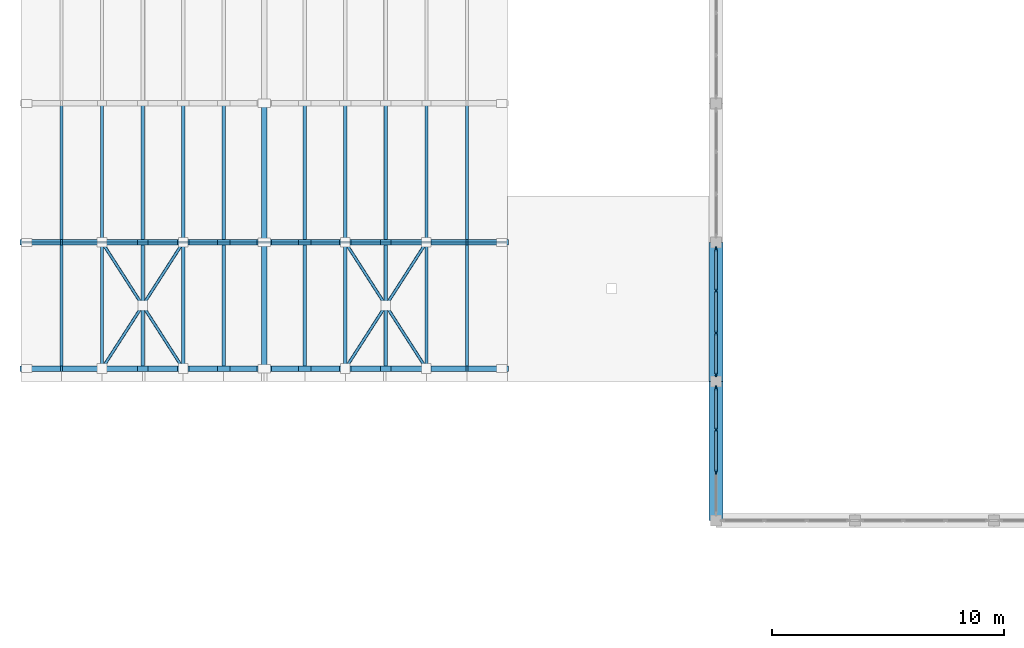
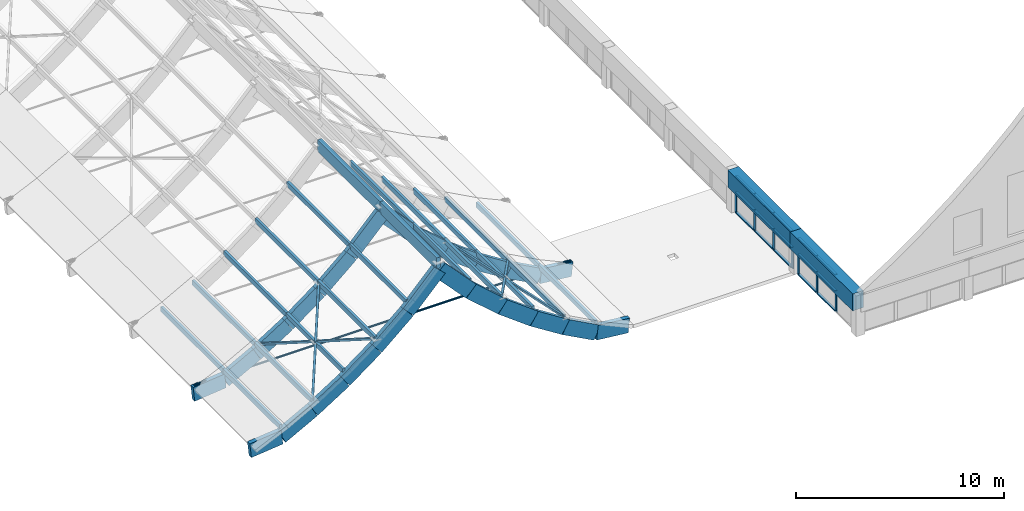
# One storey, part 6 of 45: 73 members, 4 beams, 2 elements without a shape of their own.
"""IFC4 building model written with IfcOpenShell, lengths in metres."""

import ifcopenshell
import ifcopenshell.guid

model = None  # the IFC model being written
_history = None  # IfcOwnerHistory: only IFC2X3 demands one
_inside = {}  # id of a spatial element -> (the spatial element, [elements in it])
_under = {}  # id of a project, library or spatial element -> (it, [spatial elements below it])
_declared = {}  # id of a project -> (the project, [libraries it declares])
_typed = {}  # id of a type object -> (the type object, [elements of that type])
_made_of = {}  # id of a material, layer set ... -> (it, [elements and type objects made of it])


def new_model(schema):
    """Start an empty IFC model of exactly this schema.

    Asked for "IFC4X3", IfcOpenShell would pick the latest addendum, in which some entities
    have other attributes; the version numbers below select the first issue.
    IFC2X3 requires an IfcOwnerHistory on every rooted entity: one is made here for all.
    """
    global model, _history
    if schema == "IFC4X3":
        model = ifcopenshell.file(schema_version=(4, 3, 0, 0))
    else:
        model = ifcopenshell.file(schema=schema)
    _inside.clear()
    _under.clear()
    _declared.clear()
    _typed.clear()
    _made_of.clear()
    _history = None
    if model.schema == "IFC2X3":
        org = make("IfcOrganization", Name="unknown")
        user = make(
            "IfcPersonAndOrganization",
            ThePerson=make("IfcPerson", FamilyName="unknown"),
            TheOrganization=org,
        )
        app = make(
            "IfcApplication",
            ApplicationDeveloper=org,
            Version="unknown",
            ApplicationFullName="unknown",
            ApplicationIdentifier="unknown",
        )
        _history = make(
            "IfcOwnerHistory",
            OwningUser=user,
            OwningApplication=app,
            ChangeAction="ADDED",
            CreationDate=0,
        )
    return model


def make(cls, **values):
    """One entity of the class cls with the attributes given. An attribute that is None is left unset."""
    return model.create_entity(
        cls, **{name: value for name, value in values.items() if value is not None}
    )


def rooted(cls, **values):
    """An entity with a GlobalId (a new one), such as an element, a storey or a relation."""
    return make(cls, GlobalId=ifcopenshell.guid.new(), OwnerHistory=_history, **values)


def si_unit(unit_type, name, prefix=None):
    """IfcSIUnit, for example si_unit("LENGTHUNIT", "METRE", prefix="MILLI")."""
    return make("IfcSIUnit", UnitType=unit_type, Prefix=prefix, Name=name)


def assignment(units):
    """IfcUnitAssignment: the units of a project."""
    return None if units is None else make("IfcUnitAssignment", Units=units)


def point(xyz):
    """IfcCartesianPoint."""
    return None if xyz is None else make("IfcCartesianPoint", Coordinates=xyz)


def direction(xyz):
    """IfcDirection."""
    return None if xyz is None else make("IfcDirection", DirectionRatios=xyz)


def frame(location, z_axis=None, x_axis=None):
    """IfcAxis2Placement3D, a coordinate frame: its origin and axes. An axis left out is left unset."""
    return make(
        "IfcAxis2Placement3D",
        Location=point(location),
        Axis=direction(z_axis),
        RefDirection=direction(x_axis),
    )


def frame_2d(location, x_axis=None):
    """IfcAxis2Placement2D, a coordinate frame in the plane: its origin and x axis."""
    return make(
        "IfcAxis2Placement2D", Location=point(location), RefDirection=direction(x_axis)
    )


def origin():
    """The frame at (0, 0, 0) with its axes left unset."""
    return frame((0.0, 0.0, 0.0))


def origin_2d():
    """The frame at (0, 0) in the plane with its x axis left unset."""
    return frame_2d((0.0, 0.0))


def place(relative_to, where):
    """IfcLocalPlacement: puts the frame where relative to a parent placement (None: the world)."""
    return make(
        "IfcLocalPlacement", PlacementRelTo=relative_to, RelativePlacement=where
    )


def context(
    kind, dimensions, precision=None, world=None, true_north=None, identifier=None
):
    """IfcGeometricRepresentationContext, for example the 3D "Model" context."""
    return make(
        "IfcGeometricRepresentationContext",
        ContextIdentifier=identifier,
        ContextType=kind,
        CoordinateSpaceDimension=dimensions,
        Precision=precision,
        WorldCoordinateSystem=world,
        TrueNorth=true_north,
    )


def subcontext(parent, identifier, kind, view, scale=None):
    """IfcGeometricRepresentationSubContext, for example "Body" below "Model"."""
    return make(
        "IfcGeometricRepresentationSubContext",
        ContextIdentifier=identifier,
        ContextType=kind,
        ParentContext=parent,
        TargetScale=scale,
        TargetView=view,
    )


def project(units=None, contexts=None):
    """IfcProject with its units and contexts."""
    return rooted(
        "IfcProject",
        Name="project",
        RepresentationContexts=contexts,
        UnitsInContext=assignment(units),
    )


def spatial(cls, under=None, at=None, **own):
    """A site, building, storey or space (cls), placed at a placement, below another one or the project."""
    s = rooted(cls, ObjectPlacement=at, **own)
    if under is not None:
        _under.setdefault(under.id(), (under, []))[1].append(s)
    return s


def profile(cls, at=None, kind="AREA", **sizes):
    """A parametric profile (cls). Its sizes go by their IFC names, for example OverallWidth=200.0."""
    return make(cls, ProfileType=kind, Position=at, **sizes)


def rectangle(**sizes):
    """IfcRectangleProfileDef."""
    return profile("IfcRectangleProfileDef", **sizes)


def hollow_rectangle(**sizes):
    """IfcRectangleHollowProfileDef."""
    return profile("IfcRectangleHollowProfileDef", **sizes)


def hollow_circle(**sizes):
    """IfcCircleHollowProfileDef."""
    return profile("IfcCircleHollowProfileDef", **sizes)


def extrude(swept, where, along, depth):
    """IfcExtrudedAreaSolid: the profile swept, set in the frame where, extruded along a direction by depth."""
    return make(
        "IfcExtrudedAreaSolid",
        SweptArea=swept,
        Position=where,
        ExtrudedDirection=direction(along),
        Depth=depth,
    )


def shape(context_of_items, identifier, shape_type, items):
    """IfcShapeRepresentation: the items that make up one representation, for example the "Body"."""
    return make(
        "IfcShapeRepresentation",
        ContextOfItems=context_of_items,
        RepresentationIdentifier=identifier,
        RepresentationType=shape_type,
        Items=items,
    )


def material(Name=None, Category=None):
    """IfcMaterial."""
    return make("IfcMaterial", Name=Name, Category=Category)


def layer(
    of_material, thickness, ventilated=None, Name=None, Category=None, Priority=None
):
    """IfcMaterialLayer: one layer of a wall or slab, of a material (None: an air gap)."""
    return make(
        "IfcMaterialLayer",
        Material=of_material,
        LayerThickness=thickness,
        IsVentilated=ventilated,
        Name=Name,
        Category=Category,
        Priority=Priority,
    )


def layer_set(layers, Name=None):
    """IfcMaterialLayerSet."""
    return make("IfcMaterialLayerSet", MaterialLayers=layers, LayerSetName=Name)


def material_profile(
    of_material, cross_section, Name=None, Category=None, Priority=None
):
    """IfcMaterialProfile: a cross section and its material."""
    return make(
        "IfcMaterialProfile",
        Name=Name,
        Material=of_material,
        Profile=cross_section,
        Priority=Priority,
        Category=Category,
    )


def profile_set(profiles, Name=None, composite=None):
    """IfcMaterialProfileSet."""
    return make(
        "IfcMaterialProfileSet",
        Name=Name,
        MaterialProfiles=profiles,
        CompositeProfile=composite,
    )


def made_of(thing, what):
    """Note that an element or type object is made of a material, layer set ...; save() writes the relation."""
    if what is not None:
        _made_of.setdefault(what.id(), (what, []))[1].append(thing)
    return thing


def type_object(cls, material=None, **own):
    """A type object (cls), such as IfcWallType, which elements share."""
    return made_of(rooted(cls, **own), material)


def element(
    cls,
    number,
    at=None,
    inside=None,
    cuts=None,
    type_object=None,
    material=None,
    context=None,
    identifier="Body",
    shape_type=None,
    held_by="IfcProductDefinitionShape",
    body=None,
    shapes=None,
    **own,
):
    """One element of the class cls, such as IfcWall. Its Tag is "e" and its number.

    at: its placement. inside: the storey or other place that contains it. cuts: it is an
    opening in that element (IfcRelVoidsElement). A single representation is given by context,
    identifier, shape_type and body (its items); several are given by shapes. held_by: the class
    of the entity that holds the representations. save() writes the other relations.
    """
    e = rooted(cls, Tag="e%d" % number, ObjectPlacement=at, **own)
    if body is not None:
        shapes = [shape(context, identifier, shape_type, body)]
    if shapes is not None:
        e.Representation = make(held_by, Representations=shapes)
    if inside is not None:
        _inside.setdefault(inside.id(), (inside, []))[1].append(e)
    if cuts is not None:
        rooted(
            "IfcRelVoidsElement", RelatingBuildingElement=cuts, RelatedOpeningElement=e
        )
    if type_object is not None:
        _typed.setdefault(type_object.id(), (type_object, []))[1].append(e)
    return made_of(e, material)


def aggregate(whole, parts):
    """IfcRelAggregates: a whole, such as a stair, and the parts it consists of."""
    return rooted("IfcRelAggregates", RelatingObject=whole, RelatedObjects=parts)


def save(model, path):
    """Write the relations noted so far, then the file.

    IfcRelAggregates (storeys below a building ...), IfcRelContainedInSpatialStructure (elements
    in a storey), IfcRelDefinesByType, IfcRelAssociatesMaterial and IfcRelDeclares: one each for
    every whole, place, type object, material and project.
    """
    for whole, parts in _under.values():
        aggregate(whole, parts)
    for where, things in _inside.values():
        rooted(
            "IfcRelContainedInSpatialStructure",
            RelatedElements=things,
            RelatingStructure=where,
        )
    for kind, things in _typed.values():
        rooted("IfcRelDefinesByType", RelatedObjects=things, RelatingType=kind)
    for what, things in _made_of.values():
        rooted("IfcRelAssociatesMaterial", RelatedObjects=things, RelatingMaterial=what)
    for by, libraries in _declared.values():
        rooted("IfcRelDeclares", RelatingContext=by, RelatedDefinitions=libraries)
    model.write(path)


model = new_model("IFC4")

# Units and contexts
model_context = context("Model", 3, precision=1e-05, world=origin(), true_north=direction((0.0, 1.0)))
body_context = subcontext(model_context, "Body", "Model", "MODEL_VIEW")
ifc_project = project(units=[si_unit("LENGTHUNIT", "METRE"), si_unit("AREAUNIT", "SQUARE_METRE"), si_unit("VOLUMEUNIT", "CUBIC_METRE"), si_unit("PLANEANGLEUNIT", "RADIAN"), si_unit("MASSUNIT", "GRAM", prefix="KILO")], contexts=[model_context])

# Site, building, storey
site_placement = place(None, origin())
site = spatial("IfcSite", under=ifc_project, at=site_placement, CompositionType="ELEMENT")
building_placement = place(site_placement, origin())
building = spatial("IfcBuilding", under=site, at=building_placement, Name="Solvane Community Centre", CompositionType="ELEMENT")
storey_placement = place(building_placement, frame((0.0, 0.0, 13.800048828125)))
storey = spatial("IfcBuildingStorey", under=building, at=storey_placement, Name="L03", CompositionType="ELEMENT", Elevation=13.800048828125)

# Beams
ifc_material_1 = material(Name="Glulam GL32h", Category="wood")
ifc_material_profile_1 = material_profile(ifc_material_1, rectangle(XDim=0.219970703125, YDim=0.679931640625, at=origin_2d()), Name="GL32h 220x680")
ifc_profile_set_1 = profile_set([ifc_material_profile_1], Name="Glulam GL32h")
beam_type_1 = type_object("IfcBeamType", Name="Glulam Sports Vault Ridge 220x680", PredefinedType="USERDEFINED", material=ifc_profile_set_1)
beam_1_placement = place(storey_placement, frame((16.5, 42.550048828125, 6.96044921875), z_axis=(0.0, 1.0, 0.0), x_axis=(-1.0, 0.0, 0.0)))
element("IfcBeam", 1, at=beam_1_placement, inside=storey, type_object=beam_type_1, Name="Beam BM-L03-165_426-165_480", ObjectType="GIRDER", PredefinedType="USERDEFINED", context=body_context, shape_type="SweptSolid", body=[
    extrude(rectangle(XDim=0.219970703125, YDim=0.679931640625, at=origin_2d()), origin(), (0.0, 0.0, 1.0), 5.449951171875),
])
beam_2_placement = place(storey_placement, frame((16.5, 48.0, 6.96044921875), z_axis=(0.0, 1.0, 0.0), x_axis=(-1.0, 0.0, 0.0)))
element("IfcBeam", 2, at=beam_2_placement, inside=storey, type_object=beam_type_1, Name="Beam BM-L03-165_480-165_540", ObjectType="GIRDER", PredefinedType="USERDEFINED", context=body_context, shape_type="SweptSolid", body=[
    extrude(rectangle(XDim=0.219970703125, YDim=0.679931640625, at=origin_2d()), origin(), (0.0, 0.0, 1.0), 6.0),
])

# Curtain wall, members
ifc_material_2 = material(Name="Anodised bronze aluminium AW-6063 T6", Category="aluminium")
ifc_layer = layer(ifc_material_2, 0.179931640625)
ifc_layer_set = layer_set([ifc_layer], Name="Anodised bronze aluminium AW-6063 T6")
curtain_wall_type = type_object("IfcCurtainWallType", Name="Hall Translucent Upper Curtain Wall [55x22dm]", PredefinedType="NOTDEFINED", material=ifc_layer_set)
curtain_wall_1_placement = place(storey_placement, origin())
curtain_wall_1 = element("IfcCurtainWall", 3, at=curtain_wall_1_placement, inside=storey, type_object=curtain_wall_type, Name="Curtain Wall CW-L03-360_477-134", PredefinedType="NOTDEFINED")
ifc_material_profile_2 = material_profile(ifc_material_2, rectangle(XDim=0.06005859375, YDim=0.179931640625, at=origin_2d()), Name="CW-M 60x180")
ifc_profile_set_2 = profile_set([ifc_material_profile_2], Name="Anodised bronze aluminium AW-6063 T6")
member_type_1 = type_object("IfcMemberType", Name="Hall Mullion 60x180", PredefinedType="MULLION", material=ifc_profile_set_2)
member_1_placement = place(storey_placement, frame((36.0, 47.715087890625, 0.0), z_axis=(0.0, 0.0, 1.0), x_axis=(1.0, 0.0, 0.0)))
member_1 = element("IfcMember", 4, at=member_1_placement, type_object=member_type_1, Name="CW01-55x22 mullion 1", PredefinedType="MULLION", context=body_context, shape_type="SweptSolid", body=[
    extrude(rectangle(XDim=0.06005859375, YDim=0.179931640625, at=origin_2d()), origin(), (0.0, 0.0, 1.0), 2.179931640625),
])
member_2_placement = place(storey_placement, frame((36.0, 45.9150390625, 0.0), z_axis=(0.0, 0.0, 1.0), x_axis=(1.0, 0.0, 0.0)))
member_2 = element("IfcMember", 5, at=member_2_placement, type_object=member_type_1, Name="CW01-55x22 mullion 2", PredefinedType="MULLION", context=body_context, shape_type="SweptSolid", body=[
    extrude(rectangle(XDim=0.06005859375, YDim=0.179931640625, at=origin_2d()), origin(), (0.0, 0.0, 1.0), 2.179931640625),
])
member_3_placement = place(storey_placement, frame((36.0, 44.0849609375, 0.0), z_axis=(0.0, 0.0, 1.0), x_axis=(1.0, 0.0, 0.0)))
member_3 = element("IfcMember", 6, at=member_3_placement, type_object=member_type_1, Name="CW01-55x22 mullion 3", PredefinedType="MULLION", context=body_context, shape_type="SweptSolid", body=[
    extrude(rectangle(XDim=0.06005859375, YDim=0.179931640625, at=origin_2d()), origin(), (0.0, 0.0, 1.0), 2.179931640625),
])
member_4_placement = place(storey_placement, frame((36.0, 42.284912109375, 0.0), z_axis=(0.0, 0.0, 1.0), x_axis=(1.0, 0.0, 0.0)))
member_4 = element("IfcMember", 7, at=member_4_placement, type_object=member_type_1, Name="CW01-55x22 mullion 4", PredefinedType="MULLION", context=body_context, shape_type="SweptSolid", body=[
    extrude(rectangle(XDim=0.06005859375, YDim=0.179931640625, at=origin_2d()), origin(), (0.0, 0.0, 1.0), 2.179931640625),
])

curtain_wall_2_placement = place(storey_placement, origin())
curtain_wall_2 = element("IfcCurtainWall", 8, at=curtain_wall_2_placement, inside=storey, type_object=curtain_wall_type, Name="Curtain Wall CW-L03-360_417-135", PredefinedType="NOTDEFINED")
member_5_placement = place(storey_placement, frame((36.0, 41.715087890625, 0.0), z_axis=(0.0, 0.0, 1.0), x_axis=(1.0, 0.0, 0.0)))
member_5 = element("IfcMember", 9, at=member_5_placement, type_object=member_type_1, Name="CW01-55x22 mullion 1", PredefinedType="MULLION", context=body_context, shape_type="SweptSolid", body=[
    extrude(rectangle(XDim=0.06005859375, YDim=0.179931640625, at=origin_2d()), origin(), (0.0, 0.0, 1.0), 2.179931640625),
])
member_6_placement = place(storey_placement, frame((36.0, 39.9150390625, 0.0), z_axis=(0.0, 0.0, 1.0), x_axis=(1.0, 0.0, 0.0)))
member_6 = element("IfcMember", 10, at=member_6_placement, type_object=member_type_1, Name="CW01-55x22 mullion 2", PredefinedType="MULLION", context=body_context, shape_type="SweptSolid", body=[
    extrude(rectangle(XDim=0.06005859375, YDim=0.179931640625, at=origin_2d()), origin(), (0.0, 0.0, 1.0), 2.179931640625),
])
member_7_placement = place(storey_placement, frame((36.0, 38.0849609375, 0.0), z_axis=(0.0, 0.0, 1.0), x_axis=(1.0, 0.0, 0.0)))
member_7 = element("IfcMember", 11, at=member_7_placement, type_object=member_type_1, Name="CW01-55x22 mullion 3", PredefinedType="MULLION", context=body_context, shape_type="SweptSolid", body=[
    extrude(rectangle(XDim=0.06005859375, YDim=0.179931640625, at=origin_2d()), origin(), (0.0, 0.0, 1.0), 2.179931640625),
])

# Member
ifc_material_profile_3 = material_profile(ifc_material_2, rectangle(XDim=0.139892578125, YDim=0.06005859375, at=origin_2d()), Name="CW-T 60x140")
ifc_profile_set_3 = profile_set([ifc_material_profile_3], Name="Anodised bronze aluminium AW-6063 T6")
member_type_2 = type_object("IfcMemberType", Name="Hall Transom 60x140", PredefinedType="USERDEFINED", material=ifc_profile_set_3)
member_8_placement = place(storey_placement, frame((36.0, 47.68505859375, 0.030029296875), z_axis=(0.0, -1.0, 0.0), x_axis=(1.0, 0.0, 0.0)))
member_8 = element("IfcMember", 12, at=member_8_placement, type_object=member_type_2, Name="CW01-55x22 transom 1.1", ObjectType="TRANSOM", PredefinedType="USERDEFINED", context=body_context, shape_type="SweptSolid", body=[
    extrude(rectangle(XDim=0.139892578125, YDim=0.06005859375, at=origin_2d()), origin(), (0.0, 0.0, 1.0), 1.739990234375),
])

member_9_placement = place(storey_placement, frame((36.0, 47.68505859375, 1.198974609375), z_axis=(0.0, -1.0, 0.0), x_axis=(1.0, 0.0, 0.0)))
member_9 = element("IfcMember", 13, at=member_9_placement, type_object=member_type_2, Name="CW01-55x22 transom 1.2", ObjectType="TRANSOM", PredefinedType="USERDEFINED", context=body_context, shape_type="SweptSolid", body=[
    extrude(rectangle(XDim=0.139892578125, YDim=0.06005859375, at=origin_2d()), origin(), (0.0, 0.0, 1.0), 1.739990234375),
])

member_10_placement = place(storey_placement, frame((36.0, 47.68505859375, 2.14990234375), z_axis=(0.0, -1.0, 0.0), x_axis=(1.0, 0.0, 0.0)))
member_10 = element("IfcMember", 14, at=member_10_placement, type_object=member_type_2, Name="CW01-55x22 transom 1.3", ObjectType="TRANSOM", PredefinedType="USERDEFINED", context=body_context, shape_type="SweptSolid", body=[
    extrude(rectangle(XDim=0.139892578125, YDim=0.06005859375, at=origin_2d()), origin(), (0.0, 0.0, 1.0), 1.739990234375),
])

member_11_placement = place(storey_placement, frame((36.0, 45.885009765625, 0.030029296875), z_axis=(0.0, -1.0, 0.0), x_axis=(1.0, 0.0, 0.0)))
member_11 = element("IfcMember", 15, at=member_11_placement, type_object=member_type_2, Name="CW01-55x22 transom 2.1", ObjectType="TRANSOM", PredefinedType="USERDEFINED", context=body_context, shape_type="SweptSolid", body=[
    extrude(rectangle(XDim=0.139892578125, YDim=0.06005859375, at=origin_2d()), origin(), (0.0, 0.0, 1.0), 1.77001953125),
])

member_12_placement = place(storey_placement, frame((36.0, 45.885009765625, 1.198974609375), z_axis=(0.0, -1.0, 0.0), x_axis=(1.0, 0.0, 0.0)))
member_12 = element("IfcMember", 16, at=member_12_placement, type_object=member_type_2, Name="CW01-55x22 transom 2.2", ObjectType="TRANSOM", PredefinedType="USERDEFINED", context=body_context, shape_type="SweptSolid", body=[
    extrude(rectangle(XDim=0.139892578125, YDim=0.06005859375, at=origin_2d()), origin(), (0.0, 0.0, 1.0), 1.77001953125),
])

member_13_placement = place(storey_placement, frame((36.0, 45.885009765625, 2.14990234375), z_axis=(0.0, -1.0, 0.0), x_axis=(1.0, 0.0, 0.0)))
member_13 = element("IfcMember", 17, at=member_13_placement, type_object=member_type_2, Name="CW01-55x22 transom 2.3", ObjectType="TRANSOM", PredefinedType="USERDEFINED", context=body_context, shape_type="SweptSolid", body=[
    extrude(rectangle(XDim=0.139892578125, YDim=0.06005859375, at=origin_2d()), origin(), (0.0, 0.0, 1.0), 1.77001953125),
])

member_14_placement = place(storey_placement, frame((36.0, 44.054931640625, 0.030029296875), z_axis=(0.0, -1.0, 0.0), x_axis=(1.0, 0.0, 0.0)))
member_14 = element("IfcMember", 18, at=member_14_placement, type_object=member_type_2, Name="CW01-55x22 transom 3.1", ObjectType="TRANSOM", PredefinedType="USERDEFINED", context=body_context, shape_type="SweptSolid", body=[
    extrude(rectangle(XDim=0.139892578125, YDim=0.06005859375, at=origin_2d()), origin(), (0.0, 0.0, 1.0), 1.739990234375),
])

member_15_placement = place(storey_placement, frame((36.0, 44.054931640625, 1.198974609375), z_axis=(0.0, -1.0, 0.0), x_axis=(1.0, 0.0, 0.0)))
member_15 = element("IfcMember", 19, at=member_15_placement, type_object=member_type_2, Name="CW01-55x22 transom 3.2", ObjectType="TRANSOM", PredefinedType="USERDEFINED", context=body_context, shape_type="SweptSolid", body=[
    extrude(rectangle(XDim=0.139892578125, YDim=0.06005859375, at=origin_2d()), origin(), (0.0, 0.0, 1.0), 1.739990234375),
])

member_16_placement = place(storey_placement, frame((36.0, 44.054931640625, 2.14990234375), z_axis=(0.0, -1.0, 0.0), x_axis=(1.0, 0.0, 0.0)))
member_16 = element("IfcMember", 20, at=member_16_placement, type_object=member_type_2, Name="CW01-55x22 transom 3.3", ObjectType="TRANSOM", PredefinedType="USERDEFINED", context=body_context, shape_type="SweptSolid", body=[
    extrude(rectangle(XDim=0.139892578125, YDim=0.06005859375, at=origin_2d()), origin(), (0.0, 0.0, 1.0), 1.739990234375),
])

aggregate(curtain_wall_1, [member_1, member_2, member_3, member_4, member_8, member_9, member_10, member_11, member_12, member_13, member_14, member_15, member_16])

member_17_placement = place(storey_placement, frame((36.0, 41.68505859375, 0.030029296875), z_axis=(0.0, -1.0, 0.0), x_axis=(1.0, 0.0, 0.0)))
member_17 = element("IfcMember", 21, at=member_17_placement, type_object=member_type_2, Name="CW01-55x22 transom 1.1", ObjectType="TRANSOM", PredefinedType="USERDEFINED", context=body_context, shape_type="SweptSolid", body=[
    extrude(rectangle(XDim=0.139892578125, YDim=0.06005859375, at=origin_2d()), origin(), (0.0, 0.0, 1.0), 1.739990234375),
])

member_18_placement = place(storey_placement, frame((36.0, 41.68505859375, 1.198974609375), z_axis=(0.0, -1.0, 0.0), x_axis=(1.0, 0.0, 0.0)))
member_18 = element("IfcMember", 22, at=member_18_placement, type_object=member_type_2, Name="CW01-55x22 transom 1.2", ObjectType="TRANSOM", PredefinedType="USERDEFINED", context=body_context, shape_type="SweptSolid", body=[
    extrude(rectangle(XDim=0.139892578125, YDim=0.06005859375, at=origin_2d()), origin(), (0.0, 0.0, 1.0), 1.739990234375),
])

member_19_placement = place(storey_placement, frame((36.0, 41.68505859375, 2.14990234375), z_axis=(0.0, -1.0, 0.0), x_axis=(1.0, 0.0, 0.0)))
member_19 = element("IfcMember", 23, at=member_19_placement, type_object=member_type_2, Name="CW01-55x22 transom 1.3", ObjectType="TRANSOM", PredefinedType="USERDEFINED", context=body_context, shape_type="SweptSolid", body=[
    extrude(rectangle(XDim=0.139892578125, YDim=0.06005859375, at=origin_2d()), origin(), (0.0, 0.0, 1.0), 1.739990234375),
])

member_20_placement = place(storey_placement, frame((36.0, 39.885009765625, 0.030029296875), z_axis=(0.0, -1.0, 0.0), x_axis=(1.0, 0.0, 0.0)))
member_20 = element("IfcMember", 24, at=member_20_placement, type_object=member_type_2, Name="CW01-55x22 transom 2.1", ObjectType="TRANSOM", PredefinedType="USERDEFINED", context=body_context, shape_type="SweptSolid", body=[
    extrude(rectangle(XDim=0.139892578125, YDim=0.06005859375, at=origin_2d()), origin(), (0.0, 0.0, 1.0), 1.77001953125),
])

member_21_placement = place(storey_placement, frame((36.0, 39.885009765625, 1.198974609375), z_axis=(0.0, -1.0, 0.0), x_axis=(1.0, 0.0, 0.0)))
member_21 = element("IfcMember", 25, at=member_21_placement, type_object=member_type_2, Name="CW01-55x22 transom 2.2", ObjectType="TRANSOM", PredefinedType="USERDEFINED", context=body_context, shape_type="SweptSolid", body=[
    extrude(rectangle(XDim=0.139892578125, YDim=0.06005859375, at=origin_2d()), origin(), (0.0, 0.0, 1.0), 1.77001953125),
])

member_22_placement = place(storey_placement, frame((36.0, 39.885009765625, 2.14990234375), z_axis=(0.0, -1.0, 0.0), x_axis=(1.0, 0.0, 0.0)))
member_22 = element("IfcMember", 26, at=member_22_placement, type_object=member_type_2, Name="CW01-55x22 transom 2.3", ObjectType="TRANSOM", PredefinedType="USERDEFINED", context=body_context, shape_type="SweptSolid", body=[
    extrude(rectangle(XDim=0.139892578125, YDim=0.06005859375, at=origin_2d()), origin(), (0.0, 0.0, 1.0), 1.77001953125),
])

aggregate(curtain_wall_2, [member_5, member_6, member_7, member_17, member_18, member_19, member_20, member_21, member_22])

# Beams
ifc_material_3 = material(Name="Concrete C35/45", Category="concrete")
ifc_material_profile_4 = material_profile(ifc_material_3, rectangle(XDim=0.60009765625, YDim=1.0, at=origin_2d()), Name="RC 600x1000")
ifc_profile_set_4 = profile_set([ifc_material_profile_4], Name="Concrete C35/45")
beam_type_2 = type_object("IfcBeamType", Name="RC Vault Thrust Ring Girder 600x1000", PredefinedType="USERDEFINED", material=ifc_profile_set_4)
for number, where, z_axis, x_axis, name in (
    (27, (36.0, 36.0, 1.89990234375), (0.0, 1.0, 0.0), (-1.0, 0.0, 0.0), "Beam BM-L03-360_360-360_420"),
    (28, (36.0, 42.0, 1.89990234375), (0.0, 1.0, 0.0), (-1.0, 0.0, 0.0), "Beam BM-L03-360_420-360_480"),
):
    element("IfcBeam", number, at=place(storey_placement, frame(where, z_axis=z_axis, x_axis=x_axis)), inside=storey, type_object=beam_type_2, Name=name, ObjectType="GIRDER", PredefinedType="USERDEFINED", context=body_context, shape_type="SweptSolid", body=[
        extrude(rectangle(XDim=0.60009765625, YDim=1.0, at=origin_2d()), origin(), (0.0, 0.0, 1.0), 6.0),
    ])

# Members
ifc_material_profile_5 = material_profile(ifc_material_1, rectangle(XDim=0.239990234375, YDim=0.840087890625, at=origin_2d()), Name="GL32h 240x840")
ifc_profile_set_5 = profile_set([ifc_material_profile_5], Name="Glulam GL32h")
member_type_3 = type_object("IfcMemberType", Name="Sports Hall Concave Vault Arch Rib 240x840", PredefinedType="USERDEFINED", material=ifc_profile_set_5)
member_23_placement = place(storey_placement, frame((6.0, 42.550048828125, -0.300048828125), z_axis=(0.994382391081, 0.0, 0.105847344363), x_axis=(0.0, 1.0, 0.0)))
element("IfcMember", 29, at=member_23_placement, inside=storey, type_object=member_type_3, Name="Member MEM-L03-0215", ObjectType="ARCH_SEGMENT", PredefinedType="USERDEFINED", context=body_context, shape_type="SweptSolid", body=[
    extrude(rectangle(XDim=0.239990234375, YDim=0.840087890625, at=origin_2d()), origin(), (0.0, 0.0, 1.0), 1.759765625),
])
member_24_placement = place(storey_placement, frame((7.75, 42.550048828125, -0.11376953125), z_axis=(0.881019095166, 0.0, 0.473080705538), x_axis=(0.0, 1.0, 0.0)))
element("IfcMember", 30, at=member_24_placement, inside=storey, type_object=member_type_3, Name="Member MEM-L03-0216", ObjectType="ARCH_SEGMENT", PredefinedType="USERDEFINED", context=body_context, shape_type="SweptSolid", body=[
    extrude(rectangle(XDim=0.239990234375, YDim=0.840087890625, at=origin_2d()), origin(), (0.0, 0.0, 1.0), 1.986328125),
])
member_25_placement = place(storey_placement, frame((9.5, 42.550048828125, 0.825927734375), z_axis=(0.844804868762, 0.0, 0.535074512302), x_axis=(0.0, 1.0, 0.0)))
element("IfcMember", 31, at=member_25_placement, inside=storey, type_object=member_type_3, Name="Member MEM-L03-0217", ObjectType="ARCH_SEGMENT", PredefinedType="USERDEFINED", context=body_context, shape_type="SweptSolid", body=[
    extrude(rectangle(XDim=0.239990234375, YDim=0.840087890625, at=origin_2d()), origin(), (0.0, 0.0, 1.0), 2.071533203125),
])
member_26_placement = place(storey_placement, frame((11.25, 42.550048828125, 1.934326171875), z_axis=(0.802143469144, 0.0, 0.59713135482), x_axis=(0.0, 1.0, 0.0)))
element("IfcMember", 32, at=member_26_placement, inside=storey, type_object=member_type_3, Name="Member MEM-L03-0218", ObjectType="ARCH_SEGMENT", PredefinedType="USERDEFINED", context=body_context, shape_type="SweptSolid", body=[
    extrude(rectangle(XDim=0.239990234375, YDim=0.840087890625, at=origin_2d()), origin(), (0.0, 0.0, 1.0), 2.181640625),
])
member_27_placement = place(storey_placement, frame((13.0, 42.550048828125, 3.237060546875), z_axis=(0.752160526531, 0.0, 0.658979925588), x_axis=(0.0, 1.0, 0.0)))
element("IfcMember", 33, at=member_27_placement, inside=storey, type_object=member_type_3, Name="Member MEM-L03-0219", ObjectType="ARCH_SEGMENT", PredefinedType="USERDEFINED", context=body_context, shape_type="SweptSolid", body=[
    extrude(rectangle(XDim=0.239990234375, YDim=0.840087890625, at=origin_2d()), origin(), (0.0, 0.0, 1.0), 2.32666015625),
])
for number, where, z_axis, x_axis, name in (
    (34, (14.75, 42.550048828125, 4.770263671875), (0.68617646553, 0.0, 0.727435122986), (0.0, 1.0, 0.0), "Member MEM-L03-0220"),
    (35, (16.5, 42.550048828125, 6.62548828125), (0.68617646553, 0.0, -0.727435122986), (0.0, 1.0, 0.0), "Member MEM-L03-0221"),
):
    element("IfcMember", number, at=place(storey_placement, frame(where, z_axis=z_axis, x_axis=x_axis)), inside=storey, type_object=member_type_3, Name=name, ObjectType="ARCH_SEGMENT", PredefinedType="USERDEFINED", context=body_context, shape_type="SweptSolid", body=[
        extrude(rectangle(XDim=0.239990234375, YDim=0.840087890625, at=origin_2d()), origin(), (0.0, 0.0, 1.0), 2.55029296875),
    ])
member_28_placement = place(storey_placement, frame((18.25, 42.550048828125, 4.770263671875), z_axis=(0.752160526531, 0.0, -0.658979925588), x_axis=(0.0, 1.0, 0.0)))
element("IfcMember", 36, at=member_28_placement, inside=storey, type_object=member_type_3, Name="Member MEM-L03-0222", ObjectType="ARCH_SEGMENT", PredefinedType="USERDEFINED", context=body_context, shape_type="SweptSolid", body=[
    extrude(rectangle(XDim=0.239990234375, YDim=0.840087890625, at=origin_2d()), origin(), (0.0, 0.0, 1.0), 2.32666015625),
])
member_29_placement = place(storey_placement, frame((20.0, 42.550048828125, 3.237060546875), z_axis=(0.802143469144, 0.0, -0.59713135482), x_axis=(0.0, 1.0, 0.0)))
element("IfcMember", 37, at=member_29_placement, inside=storey, type_object=member_type_3, Name="Member MEM-L03-0223", ObjectType="ARCH_SEGMENT", PredefinedType="USERDEFINED", context=body_context, shape_type="SweptSolid", body=[
    extrude(rectangle(XDim=0.239990234375, YDim=0.840087890625, at=origin_2d()), origin(), (0.0, 0.0, 1.0), 2.181640625),
])
member_30_placement = place(storey_placement, frame((21.75, 42.550048828125, 1.934326171875), z_axis=(0.844804868762, 0.0, -0.535074512302), x_axis=(0.0, 1.0, 0.0)))
element("IfcMember", 38, at=member_30_placement, inside=storey, type_object=member_type_3, Name="Member MEM-L03-0224", ObjectType="ARCH_SEGMENT", PredefinedType="USERDEFINED", context=body_context, shape_type="SweptSolid", body=[
    extrude(rectangle(XDim=0.239990234375, YDim=0.840087890625, at=origin_2d()), origin(), (0.0, 0.0, 1.0), 2.071533203125),
])
member_31_placement = place(storey_placement, frame((23.5, 42.550048828125, 0.825927734375), z_axis=(0.881019095166, 0.0, -0.473080705538), x_axis=(0.0, 1.0, 0.0)))
element("IfcMember", 39, at=member_31_placement, inside=storey, type_object=member_type_3, Name="Member MEM-L03-0225", ObjectType="ARCH_SEGMENT", PredefinedType="USERDEFINED", context=body_context, shape_type="SweptSolid", body=[
    extrude(rectangle(XDim=0.239990234375, YDim=0.840087890625, at=origin_2d()), origin(), (0.0, 0.0, 1.0), 1.986328125),
])
for number, where, z_axis, x_axis, name in (
    (40, (25.25, 42.550048828125, -0.11376953125), (0.994382391081, 0.0, -0.105847344363), (0.0, 1.0, 0.0), "Member MEM-L03-0226"),
    (41, (6.0, 48.0, -0.300048828125), (0.994382391081, 0.0, 0.105847344363), (0.0, 1.0, 0.0), "Member MEM-L03-0227"),
):
    element("IfcMember", number, at=place(storey_placement, frame(where, z_axis=z_axis, x_axis=x_axis)), inside=storey, type_object=member_type_3, Name=name, ObjectType="ARCH_SEGMENT", PredefinedType="USERDEFINED", context=body_context, shape_type="SweptSolid", body=[
        extrude(rectangle(XDim=0.239990234375, YDim=0.840087890625, at=origin_2d()), origin(), (0.0, 0.0, 1.0), 1.759765625),
    ])
member_32_placement = place(storey_placement, frame((7.75, 48.0, -0.11376953125), z_axis=(0.881019095166, 0.0, 0.473080705538), x_axis=(0.0, 1.0, 0.0)))
element("IfcMember", 42, at=member_32_placement, inside=storey, type_object=member_type_3, Name="Member MEM-L03-0228", ObjectType="ARCH_SEGMENT", PredefinedType="USERDEFINED", context=body_context, shape_type="SweptSolid", body=[
    extrude(rectangle(XDim=0.239990234375, YDim=0.840087890625, at=origin_2d()), origin(), (0.0, 0.0, 1.0), 1.986328125),
])
member_33_placement = place(storey_placement, frame((9.5, 48.0, 0.825927734375), z_axis=(0.844804868762, 0.0, 0.535074512302), x_axis=(0.0, 1.0, 0.0)))
element("IfcMember", 43, at=member_33_placement, inside=storey, type_object=member_type_3, Name="Member MEM-L03-0229", ObjectType="ARCH_SEGMENT", PredefinedType="USERDEFINED", context=body_context, shape_type="SweptSolid", body=[
    extrude(rectangle(XDim=0.239990234375, YDim=0.840087890625, at=origin_2d()), origin(), (0.0, 0.0, 1.0), 2.071533203125),
])
member_34_placement = place(storey_placement, frame((11.25, 48.0, 1.934326171875), z_axis=(0.802143469144, 0.0, 0.59713135482), x_axis=(0.0, 1.0, 0.0)))
element("IfcMember", 44, at=member_34_placement, inside=storey, type_object=member_type_3, Name="Member MEM-L03-0230", ObjectType="ARCH_SEGMENT", PredefinedType="USERDEFINED", context=body_context, shape_type="SweptSolid", body=[
    extrude(rectangle(XDim=0.239990234375, YDim=0.840087890625, at=origin_2d()), origin(), (0.0, 0.0, 1.0), 2.181640625),
])
member_35_placement = place(storey_placement, frame((13.0, 48.0, 3.237060546875), z_axis=(0.752160526531, 0.0, 0.658979925588), x_axis=(0.0, 1.0, 0.0)))
element("IfcMember", 45, at=member_35_placement, inside=storey, type_object=member_type_3, Name="Member MEM-L03-0231", ObjectType="ARCH_SEGMENT", PredefinedType="USERDEFINED", context=body_context, shape_type="SweptSolid", body=[
    extrude(rectangle(XDim=0.239990234375, YDim=0.840087890625, at=origin_2d()), origin(), (0.0, 0.0, 1.0), 2.32666015625),
])
for number, where, z_axis, x_axis, name in (
    (46, (14.75, 48.0, 4.770263671875), (0.68617646553, 0.0, 0.727435122986), (0.0, 1.0, 0.0), "Member MEM-L03-0232"),
    (47, (16.5, 48.0, 6.62548828125), (0.68617646553, 0.0, -0.727435122986), (0.0, 1.0, 0.0), "Member MEM-L03-0233"),
):
    element("IfcMember", number, at=place(storey_placement, frame(where, z_axis=z_axis, x_axis=x_axis)), inside=storey, type_object=member_type_3, Name=name, ObjectType="ARCH_SEGMENT", PredefinedType="USERDEFINED", context=body_context, shape_type="SweptSolid", body=[
        extrude(rectangle(XDim=0.239990234375, YDim=0.840087890625, at=origin_2d()), origin(), (0.0, 0.0, 1.0), 2.55029296875),
    ])
member_36_placement = place(storey_placement, frame((18.25, 48.0, 4.770263671875), z_axis=(0.752160526531, 0.0, -0.658979925588), x_axis=(0.0, 1.0, 0.0)))
element("IfcMember", 48, at=member_36_placement, inside=storey, type_object=member_type_3, Name="Member MEM-L03-0234", ObjectType="ARCH_SEGMENT", PredefinedType="USERDEFINED", context=body_context, shape_type="SweptSolid", body=[
    extrude(rectangle(XDim=0.239990234375, YDim=0.840087890625, at=origin_2d()), origin(), (0.0, 0.0, 1.0), 2.32666015625),
])
member_37_placement = place(storey_placement, frame((20.0, 48.0, 3.237060546875), z_axis=(0.802143469144, 0.0, -0.59713135482), x_axis=(0.0, 1.0, 0.0)))
element("IfcMember", 49, at=member_37_placement, inside=storey, type_object=member_type_3, Name="Member MEM-L03-0235", ObjectType="ARCH_SEGMENT", PredefinedType="USERDEFINED", context=body_context, shape_type="SweptSolid", body=[
    extrude(rectangle(XDim=0.239990234375, YDim=0.840087890625, at=origin_2d()), origin(), (0.0, 0.0, 1.0), 2.181640625),
])
member_38_placement = place(storey_placement, frame((21.75, 48.0, 1.934326171875), z_axis=(0.844804868762, 0.0, -0.535074512302), x_axis=(0.0, 1.0, 0.0)))
element("IfcMember", 50, at=member_38_placement, inside=storey, type_object=member_type_3, Name="Member MEM-L03-0236", ObjectType="ARCH_SEGMENT", PredefinedType="USERDEFINED", context=body_context, shape_type="SweptSolid", body=[
    extrude(rectangle(XDim=0.239990234375, YDim=0.840087890625, at=origin_2d()), origin(), (0.0, 0.0, 1.0), 2.071533203125),
])
member_39_placement = place(storey_placement, frame((23.5, 48.0, 0.825927734375), z_axis=(0.881019095166, 0.0, -0.473080705538), x_axis=(0.0, 1.0, 0.0)))
element("IfcMember", 51, at=member_39_placement, inside=storey, type_object=member_type_3, Name="Member MEM-L03-0237", ObjectType="ARCH_SEGMENT", PredefinedType="USERDEFINED", context=body_context, shape_type="SweptSolid", body=[
    extrude(rectangle(XDim=0.239990234375, YDim=0.840087890625, at=origin_2d()), origin(), (0.0, 0.0, 1.0), 1.986328125),
])
member_40_placement = place(storey_placement, frame((25.25, 48.0, -0.11376953125), z_axis=(0.994382391081, 0.0, -0.105847344363), x_axis=(0.0, 1.0, 0.0)))
element("IfcMember", 52, at=member_40_placement, inside=storey, type_object=member_type_3, Name="Member MEM-L03-0238", ObjectType="ARCH_SEGMENT", PredefinedType="USERDEFINED", context=body_context, shape_type="SweptSolid", body=[
    extrude(rectangle(XDim=0.239990234375, YDim=0.840087890625, at=origin_2d()), origin(), (0.0, 0.0, 1.0), 1.759765625),
])
ifc_material_4 = material(Name="Glulam GL28h", Category="wood")
ifc_material_profile_6 = material_profile(ifc_material_4, rectangle(XDim=0.139892578125, YDim=0.280029296875, at=origin_2d()), Name="GL28h 140x280")
ifc_profile_set_6 = profile_set([ifc_material_profile_6], Name="Glulam GL28h")
member_type_4 = type_object("IfcMemberType", Name="Sports Hall Vault Purlin 140x280", PredefinedType="PURLIN", material=ifc_profile_set_6)
for number, where, z_axis, x_axis, name in (
    (53, (7.75, 42.550048828125, 0.421142578125), (0.0, 1.0, 0.0), (-1.0, 0.0, 0.0), "Member MEM-L03-0304"),
    (54, (9.5, 42.550048828125, 1.36083984375), (0.0, 1.0, 0.0), (-1.0, 0.0, 0.0), "Member MEM-L03-0305"),
    (55, (11.25, 42.550048828125, 2.46923828125), (0.0, 1.0, 0.0), (-1.0, 0.0, 0.0), "Member MEM-L03-0306"),
    (56, (13.0, 42.550048828125, 3.77197265625), (0.0, 1.0, 0.0), (-1.0, 0.0, 0.0), "Member MEM-L03-0307"),
    (57, (14.75, 42.550048828125, 5.305419921875), (0.0, 1.0, 0.0), (-1.0, 0.0, 0.0), "Member MEM-L03-0308"),
    (58, (18.25, 42.550048828125, 5.305419921875), (0.0, 1.0, 0.0), (-1.0, 0.0, 0.0), "Member MEM-L03-0309"),
    (59, (20.0, 42.550048828125, 3.77197265625), (0.0, 1.0, 0.0), (-1.0, 0.0, 0.0), "Member MEM-L03-0310"),
    (60, (21.75, 42.550048828125, 2.46923828125), (0.0, 1.0, 0.0), (-1.0, 0.0, 0.0), "Member MEM-L03-0311"),
    (61, (23.5, 42.550048828125, 1.36083984375), (0.0, 1.0, 0.0), (-1.0, 0.0, 0.0), "Member MEM-L03-0312"),
    (62, (25.25, 42.550048828125, 0.421142578125), (0.0, 1.0, 0.0), (-1.0, 0.0, 0.0), "Member MEM-L03-0313"),
):
    element("IfcMember", number, at=place(storey_placement, frame(where, z_axis=z_axis, x_axis=x_axis)), inside=storey, type_object=member_type_4, Name=name, PredefinedType="PURLIN", context=body_context, shape_type="SweptSolid", body=[
        extrude(rectangle(XDim=0.139892578125, YDim=0.280029296875, at=origin_2d()), origin(), (0.0, 0.0, 1.0), 5.449951171875),
    ])
for number, where, z_axis, x_axis, name in (
    (63, (7.75, 48.0, 0.421142578125), (0.0, 1.0, 0.0), (-1.0, 0.0, 0.0), "Member MEM-L03-0318"),
    (64, (9.5, 48.0, 1.36083984375), (0.0, 1.0, 0.0), (-1.0, 0.0, 0.0), "Member MEM-L03-0319"),
    (65, (11.25, 48.0, 2.46923828125), (0.0, 1.0, 0.0), (-1.0, 0.0, 0.0), "Member MEM-L03-0320"),
    (66, (13.0, 48.0, 3.77197265625), (0.0, 1.0, 0.0), (-1.0, 0.0, 0.0), "Member MEM-L03-0321"),
    (67, (14.75, 48.0, 5.305419921875), (0.0, 1.0, 0.0), (-1.0, 0.0, 0.0), "Member MEM-L03-0322"),
    (68, (18.25, 48.0, 5.305419921875), (0.0, 1.0, 0.0), (-1.0, 0.0, 0.0), "Member MEM-L03-0323"),
    (69, (20.0, 48.0, 3.77197265625), (0.0, 1.0, 0.0), (-1.0, 0.0, 0.0), "Member MEM-L03-0324"),
    (70, (21.75, 48.0, 2.46923828125), (0.0, 1.0, 0.0), (-1.0, 0.0, 0.0), "Member MEM-L03-0325"),
    (71, (23.5, 48.0, 1.36083984375), (0.0, 1.0, 0.0), (-1.0, 0.0, 0.0), "Member MEM-L03-0326"),
    (72, (25.25, 48.0, 0.421142578125), (0.0, 1.0, 0.0), (-1.0, 0.0, 0.0), "Member MEM-L03-0327"),
):
    element("IfcMember", number, at=place(storey_placement, frame(where, z_axis=z_axis, x_axis=x_axis)), inside=storey, type_object=member_type_4, Name=name, PredefinedType="PURLIN", context=body_context, shape_type="SweptSolid", body=[
        extrude(rectangle(XDim=0.139892578125, YDim=0.280029296875, at=origin_2d()), origin(), (0.0, 0.0, 1.0), 6.0),
    ])
ifc_material_5 = material(Name="Steel ASTM A572 Grade 50", Category="steel")
ifc_material_profile_7 = material_profile(ifc_material_5, hollow_circle(Radius=0.05712890625, WallThickness=0.008056640625, at=origin_2d()), Name="CHS 114.3x8.0")
ifc_profile_set_7 = profile_set([ifc_material_profile_7], Name="Steel ASTM A572 Grade 50")
member_type_5 = type_object("IfcMemberType", Name="Sports Vault Tension Tie Rod CHS114", PredefinedType="CHORD", material=ifc_profile_set_7)
member_41_placement = place(storey_placement, frame((6.0400390625, 48.0, 0.14990234375), z_axis=(1.0, 0.0, 0.0), x_axis=(0.0, 1.0, 0.0)))
element("IfcMember", 73, at=member_41_placement, inside=storey, type_object=member_type_5, Name="Member MEM-L03-0239", PredefinedType="CHORD", context=body_context, shape_type="SweptSolid", body=[
    extrude(hollow_circle(Radius=0.05712890625, WallThickness=0.008056640625, at=origin_2d()), origin(), (0.0, 0.0, 1.0), 20.919921875),
])
ifc_material_profile_8 = material_profile(ifc_material_5, hollow_rectangle(XDim=0.126953125, YDim=0.126953125, WallThickness=0.008056640625, InnerFilletRadius=0.008056640625, OuterFilletRadius=0.01611328125, at=origin_2d()), Name="HSS 127x127x8.0")
ifc_profile_set_8 = profile_set([ifc_material_profile_8], Name="Steel ASTM A572 Grade 50")
member_type_6 = type_object("IfcMemberType", Name="Sports Vault Wind X-Brace HSS127", PredefinedType="BRACE", material=ifc_profile_set_8)
member_42_placement = place(storey_placement, frame((9.5, 42.550048828125, 1.36083984375), z_axis=(0.506419881672, 0.788561036452, 0.348870169601), x_axis=(-0.841426998806, 0.540370803874, 0.0)))
element("IfcMember", 74, at=member_42_placement, inside=storey, type_object=member_type_6, Name="Member MEM-L03-0314", PredefinedType="BRACE", context=body_context, shape_type="SweptSolid", body=[
    extrude(hollow_rectangle(XDim=0.126953125, YDim=0.126953125, WallThickness=0.008056640625, InnerFilletRadius=0.008056640625, OuterFilletRadius=0.01611328125, at=origin_2d()), origin(), (0.0, 0.0, 1.0), 6.911376953125),
])
for number, where, z_axis, x_axis, name in (
    (75, (13.0, 42.550048828125, 3.77197265625), (-0.506415804603, 0.78855348723, -0.348893150729), (-0.841426624693, -0.540371386417, 0.0), "Member MEM-L03-0315"),
    (76, (11.20947265625, 45.338134765625, 2.53857421875), (-0.506415804603, 0.78855348723, -0.348893150729), (-0.841426624693, -0.540371386417, 0.0), "Member MEM-XBR-L03-0007"),
):
    element("IfcMember", number, at=place(storey_placement, frame(where, z_axis=z_axis, x_axis=x_axis)), inside=storey, type_object=member_type_6, Name=name, PredefinedType="BRACE", context=body_context, shape_type="SweptSolid", body=[
        extrude(hollow_rectangle(XDim=0.126953125, YDim=0.126953125, WallThickness=0.008056640625, InnerFilletRadius=0.008056640625, OuterFilletRadius=0.01611328125, at=origin_2d()), origin(), (0.0, 0.0, 1.0), 3.375732421875),
    ])
member_43_placement = place(storey_placement, frame((20.0, 42.550048828125, 3.77197265625), z_axis=(0.506419881672, 0.788561036452, -0.348870169601), x_axis=(-0.841426998806, 0.540370803874, 0.0)))
element("IfcMember", 77, at=member_43_placement, inside=storey, type_object=member_type_6, Name="Member MEM-L03-0316", PredefinedType="BRACE", context=body_context, shape_type="SweptSolid", body=[
    extrude(hollow_rectangle(XDim=0.126953125, YDim=0.126953125, WallThickness=0.008056640625, InnerFilletRadius=0.008056640625, OuterFilletRadius=0.01611328125, at=origin_2d()), origin(), (0.0, 0.0, 1.0), 6.911376953125),
])
for number, where, z_axis, x_axis, name in (
    (78, (23.5, 42.550048828125, 1.36083984375), (-0.506415804603, 0.78855348723, 0.348893150729), (-0.841426624693, -0.540371386417, 0.0), "Member MEM-L03-0317"),
    (79, (21.70947265625, 45.338134765625, 2.59423828125), (-0.506415804603, 0.78855348723, 0.348893150729), (-0.841426624693, -0.540371386417, 0.0), "Member MEM-XBR-L03-0008"),
):
    element("IfcMember", number, at=place(storey_placement, frame(where, z_axis=z_axis, x_axis=x_axis)), inside=storey, type_object=member_type_6, Name=name, PredefinedType="BRACE", context=body_context, shape_type="SweptSolid", body=[
        extrude(hollow_rectangle(XDim=0.126953125, YDim=0.126953125, WallThickness=0.008056640625, InnerFilletRadius=0.008056640625, OuterFilletRadius=0.01611328125, at=origin_2d()), origin(), (0.0, 0.0, 1.0), 3.375732421875),
    ])

save(model, "model.ifc")
